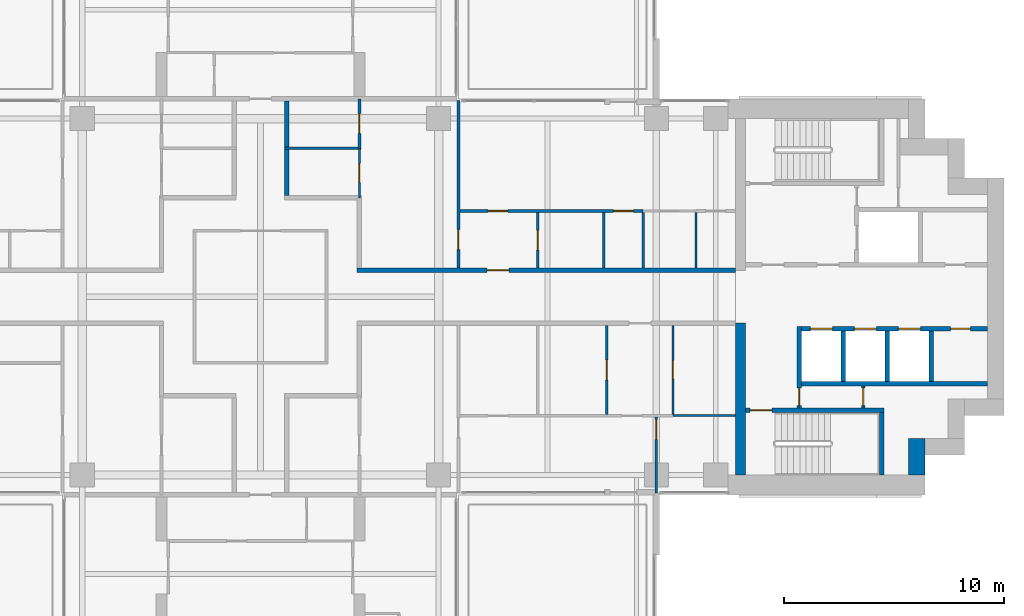
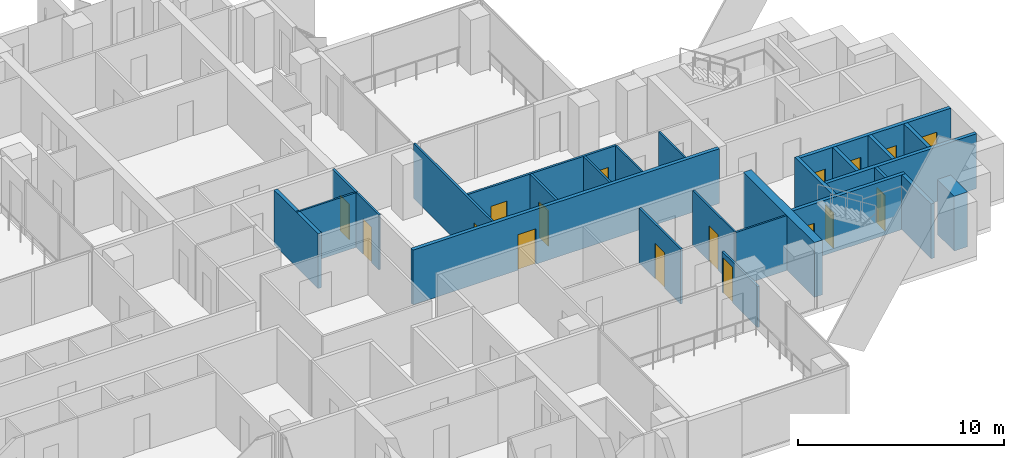
# One storey, part 12 of 19: 26 walls, 17 doors, 17 openings.
"""IFC4 building model written with IfcOpenShell, lengths in metres."""

from ifc_helpers import new_model, si_unit, direction, frame, frame_2d, origin, place, context, subcontext, project, spatial, rectangle, extrude, material, layer, layer_set, type_object, element, fill, save


model = new_model("IFC4")

# Units and contexts
model_context = context("Model", 3, precision=1e-05, world=origin(), true_north=direction((0.0, 1.0)))
body_context = subcontext(model_context, "Body", "Model", "MODEL_VIEW")
ifc_project = project(units=[si_unit("LENGTHUNIT", "METRE"), si_unit("AREAUNIT", "SQUARE_METRE"), si_unit("VOLUMEUNIT", "CUBIC_METRE"), si_unit("PLANEANGLEUNIT", "RADIAN"), si_unit("MASSUNIT", "GRAM", prefix="KILO")], contexts=[model_context])

# Site, building, storey
site_placement = place(None, origin())
site = spatial("IfcSite", under=ifc_project, at=site_placement, CompositionType="ELEMENT")
building_placement = place(site_placement, origin())
building = spatial("IfcBuilding", under=site, at=building_placement, Name="Perihelion Cross Residences", CompositionType="ELEMENT")
storey_placement = place(building_placement, frame((0.0, 0.0, 105.89990234375)))
storey = spatial("IfcBuildingStorey", under=building, at=storey_placement, Name="L24", CompositionType="ELEMENT", Elevation=105.89990234375)

# Wall, opening, door
ifc_material_1 = material(Name="Plasterboard partition")
ifc_layer_1 = layer(ifc_material_1, 0.199951171875)
ifc_layer_set_1 = layer_set([ifc_layer_1], Name="Apartment separation wall 200")
wall_type_1 = type_object("IfcWallType", Name="Apartment separation wall 200", PredefinedType="PARTITIONING", material=ifc_layer_set_1)
wall_1_placement = place(storey_placement, frame((4.39990234375, 1.199951171875, 0.0), z_axis=(0.0, 0.0, 1.0), x_axis=(1.0, 0.0, 0.0)))
wall_1 = element("IfcWall", 1, at=wall_1_placement, inside=storey, type_object=wall_type_1, Name="Partition L24 W005", PredefinedType="PARTITIONING", context=body_context, shape_type="SweptSolid", body=[
    extrude(rectangle(XDim=17.2001953125, YDim=0.199951171875, at=frame_2d((8.60009765625, 0.0))), origin(), (0.0, 0.0, 1.0), 3.25),
])
opening_1_placement = place(wall_1_placement, frame((5.89990234375, 0.0, 0.0)))
opening_1 = element("IfcOpeningElement", 2, at=opening_1_placement, cuts=wall_1, Name="Opening L24.A46", PredefinedType="OPENING", context=body_context, shape_type="SweptSolid", body=[
    extrude(rectangle(XDim=1.0, YDim=2.10009765625, at=frame_2d((0.5, 1.050048828125))), frame((0.0, 0.10986328125, 0.0), z_axis=(0.0, -1.0, 0.0), x_axis=(1.0, 0.0, 0.0)), (0.0, 0.0, 1.0), 0.219970703125),
])
ifc_material_2 = material(Name="Timber door leaf", Category="wood")
door_type_1 = type_object("IfcDoorType", Name="Flat entrance door 1000 x 2100", OperationType="SINGLE_SWING_LEFT", PredefinedType="DOOR", material=ifc_material_2)
door_1_placement = place(opening_1_placement, origin())
door_1 = element("IfcDoor", 3, at=door_1_placement, inside=storey, type_object=door_type_1, Name="Door L24.A46", OperationType="SINGLE_SWING_LEFT", OverallHeight=2.10009765625, OverallWidth=1.0, PredefinedType="DOOR", context=body_context, shape_type="SweptSolid", body=[
    extrude(rectangle(XDim=1.0, YDim=2.10009765625, at=frame_2d((0.5, 1.050048828125))), frame((0.0, 0.02490234375, 0.0), z_axis=(0.0, -1.0, 0.0), x_axis=(1.0, 0.0, 0.0)), (0.0, 0.0, 1.0), 0.050048828125),
])
fill(opening_1, door_1)

# Walls
wall_2_placement = place(storey_placement, frame((1.199951171875, 8.89990234375, 0.0), z_axis=(0.0, 0.0, 1.0), x_axis=(0.0, -1.0, 0.0)))
element("IfcWall", 4, at=wall_2_placement, inside=storey, type_object=wall_type_1, Name="Partition L24 W007", PredefinedType="PARTITIONING", context=body_context, shape_type="SweptSolid", body=[
    extrude(rectangle(XDim=4.2998046875, YDim=0.199951171875, at=frame_2d((2.14990234375, 0.0))), origin(), (0.0, 0.0, 1.0), 3.25),
])
ifc_material_3 = material(Name="Concrete C60/75", Category="concrete")
ifc_layer_2 = layer(ifc_material_3, 0.449951171875)
ifc_layer_set_2 = layer_set([ifc_layer_2], Name="Core wall, inner 450")
wall_type_2 = type_object("IfcWallType", Name="Core wall, inner 450", PredefinedType="SHEAR", material=ifc_layer_set_2)
wall_3_placement = place(storey_placement, frame((21.824951171875, -8.10009765625, 0.0), z_axis=(0.0, 0.0, 1.0), x_axis=(0.0, 1.0, 0.0)))
element("IfcWall", 5, at=wall_3_placement, inside=storey, type_object=wall_type_2, Name="East core core wall, inner", PredefinedType="SHEAR", context=body_context, shape_type="SweptSolid", body=[
    extrude(rectangle(XDim=6.900146484375, YDim=0.449951171875, at=frame_2d((3.4501953125, 0.0))), origin(), (0.0, 0.0, 1.0), 3.25),
])
ifc_material_4 = material(Name="Concrete C60/75", Category="concrete")
ifc_layer_3 = layer(ifc_material_4, 0.75)
ifc_layer_set_3 = layer_set([ifc_layer_3], Name="Core wall, outer 750")
wall_type_3 = type_object("IfcWallType", Name="Core wall, outer 750", PredefinedType="SHEAR", material=ifc_layer_set_3)
wall_4_placement = place(storey_placement, frame((29.824951171875, -8.10009765625, 0.0), z_axis=(0.0, 0.0, 1.0), x_axis=(0.0, 1.0, 0.0)))
element("IfcWall", 6, at=wall_4_placement, inside=storey, type_object=wall_type_3, Name="East core core wall, outer", PredefinedType="SHEAR", context=body_context, shape_type="SweptSolid", body=[
    extrude(rectangle(XDim=1.650146484375, YDim=0.75, at=frame_2d((0.8251953125, 0.0))), origin(), (0.0, 0.0, 1.0), 3.25),
])

# Wall, opening, door
ifc_material_5 = material(Name="Concrete C50/60", Category="concrete")
ifc_layer_4 = layer(ifc_material_5, 0.199951171875)
ifc_layer_set_4 = layer_set([ifc_layer_4], Name="Lobby wall 200")
wall_type_4 = type_object("IfcWallType", Name="Lobby wall 200", PredefinedType="SOLIDWALL", material=ifc_layer_set_4)
wall_5_placement = place(storey_placement, frame((24.5, -5.050048828125, 0.0), z_axis=(0.0, 0.0, 1.0), x_axis=(0.0, 1.0, 0.0)))
wall_5 = element("IfcWall", 7, at=wall_5_placement, inside=storey, type_object=wall_type_4, Name="East core lobby wall", PredefinedType="SOLIDWALL", context=body_context, shape_type="SweptSolid", body=[
    extrude(rectangle(XDim=3.699951171875, YDim=0.199951171875, at=frame_2d((1.85009765625, 0.0))), origin(), (0.0, 0.0, 1.0), 3.25),
])
opening_2_placement = place(wall_5_placement, frame((0.10009765625, 0.0, 0.0)))
opening_2 = element("IfcOpeningElement", 8, at=opening_2_placement, cuts=wall_5, Name="Opening L24.C08", PredefinedType="OPENING", context=body_context, shape_type="SweptSolid", body=[
    extrude(rectangle(XDim=0.800048828125, YDim=2.10009765625, at=frame_2d((0.39990234375, 1.050048828125))), frame((0.0, 0.10986328125, 0.0), z_axis=(0.0, -1.0, 0.0), x_axis=(1.0, 0.0, 0.0)), (0.0, 0.0, 1.0), 0.219970703125),
])
ifc_material_6 = material(Name="Steel, powder coated", Category="steel")
door_type_2 = type_object("IfcDoorType", Name="Riser door 800", OperationType="SINGLE_SWING_LEFT", PredefinedType="DOOR", material=ifc_material_6)
door_2_placement = place(opening_2_placement, origin())
door_2 = element("IfcDoor", 9, at=door_2_placement, inside=storey, type_object=door_type_2, Name="East core riser door", OperationType="SINGLE_SWING_LEFT", OverallHeight=2.10009765625, OverallWidth=0.800048828125, PredefinedType="DOOR", context=body_context, shape_type="SweptSolid", body=[
    extrude(rectangle(XDim=0.800048828125, YDim=2.10009765625, at=frame_2d((0.39990234375, 1.050048828125))), frame((0.0, 0.02490234375, 0.0), z_axis=(0.0, -1.0, 0.0), x_axis=(1.0, 0.0, 0.0)), (0.0, 0.0, 1.0), 0.050048828125),
])
fill(opening_2, door_2)

ifc_material_7 = material(Name="Plasterboard partition")
ifc_layer_5 = layer(ifc_material_7, 0.1201171875)
ifc_layer_set_5 = layer_set([ifc_layer_5], Name="Partition wall 120")
wall_type_5 = type_object("IfcWallType", Name="Partition wall 120", PredefinedType="PARTITIONING", material=ifc_layer_set_5)
wall_6_placement = place(storey_placement, frame((12.60009765625, 3.840087890625, 0.0), z_axis=(0.0, 0.0, 1.0), x_axis=(0.0, -1.0, 0.0)))
wall_6 = element("IfcWall", 10, at=wall_6_placement, inside=storey, type_object=wall_type_5, Name="Partition L24 W023", PredefinedType="PARTITIONING", context=body_context, shape_type="SweptSolid", body=[
    extrude(rectangle(XDim=2.5400390625, YDim=0.1201171875, at=frame_2d((1.27001953125, 0.0))), origin(), (0.0, 0.0, 1.0), 3.25),
])
opening_3_placement = place(wall_6_placement, frame((0.820068359375, 0.0, 0.0)))
opening_3 = element("IfcOpeningElement", 11, at=opening_3_placement, cuts=wall_6, Name="Opening L24.A06", PredefinedType="OPENING", context=body_context, shape_type="SweptSolid", body=[
    extrude(rectangle(XDim=0.89990234375, YDim=2.10009765625, at=frame_2d((0.449951171875, 1.050048828125))), frame((0.0, 0.070068359375, 0.0), z_axis=(0.0, -1.0, 0.0), x_axis=(1.0, 0.0, 0.0)), (0.0, 0.0, 1.0), 0.14013671875),
])
ifc_material_8 = material(Name="Timber door leaf", Category="wood")
door_type_3 = type_object("IfcDoorType", Name="Interior room door 900 x 2100", OperationType="SINGLE_SWING_LEFT", PredefinedType="DOOR", material=ifc_material_8)
door_3_placement = place(opening_3_placement, origin())
door_3 = element("IfcDoor", 12, at=door_3_placement, inside=storey, type_object=door_type_3, Name="Door L24.A06", OperationType="SINGLE_SWING_RIGHT", OverallHeight=2.10009765625, OverallWidth=0.89990234375, PredefinedType="DOOR", context=body_context, shape_type="SweptSolid", body=[
    extrude(rectangle(XDim=0.89990234375, YDim=2.10009765625, at=frame_2d((0.449951171875, 1.050048828125))), frame((0.0, 0.02490234375, 0.0), z_axis=(0.0, -1.0, 0.0), x_axis=(1.0, 0.0, 0.0)), (0.0, 0.0, 1.0), 0.050048828125),
])
fill(opening_3, door_3)

# Wall, openings, doors
wall_7_placement = place(storey_placement, frame((8.93994140625, 3.89990234375, 0.0), z_axis=(0.0, 0.0, 1.0), x_axis=(1.0, 0.0, 0.0)))
wall_7 = element("IfcWall", 13, at=wall_7_placement, inside=storey, type_object=wall_type_5, Name="Partition L24 W024", PredefinedType="PARTITIONING", context=body_context, shape_type="SweptSolid", body=[
    extrude(rectangle(XDim=8.4599609375, YDim=0.1201171875, at=frame_2d((4.22998046875, 0.0))), origin(), (0.0, 0.0, 1.0), 3.25),
])
opening_4_placement = place(wall_7_placement, frame((7.110107421875, 0.0, 0.0)))
opening_4 = element("IfcOpeningElement", 14, at=opening_4_placement, cuts=wall_7, Name="Opening L24.A07", PredefinedType="OPENING", context=body_context, shape_type="SweptSolid", body=[
    extrude(rectangle(XDim=0.89990234375, YDim=2.10009765625, at=frame_2d((0.449951171875, 1.050048828125))), frame((0.0, 0.070068359375, 0.0), z_axis=(0.0, -1.0, 0.0), x_axis=(1.0, 0.0, 0.0)), (0.0, 0.0, 1.0), 0.14013671875),
])
opening_5_placement = place(wall_7_placement, frame((1.409912109375, 0.0, 0.0)))
opening_5 = element("IfcOpeningElement", 15, at=opening_5_placement, cuts=wall_7, Name="Opening L24.A09", PredefinedType="OPENING", context=body_context, shape_type="SweptSolid", body=[
    extrude(rectangle(XDim=0.89990234375, YDim=2.10009765625, at=frame_2d((0.449951171875, 1.050048828125))), frame((0.0, 0.070068359375, 0.0), z_axis=(0.0, -1.0, 0.0), x_axis=(1.0, 0.0, 0.0)), (0.0, 0.0, 1.0), 0.14013671875),
])
door_4_placement = place(opening_4_placement, origin())
door_4 = element("IfcDoor", 16, at=door_4_placement, inside=storey, type_object=door_type_3, Name="Door L24.A07", OperationType="SINGLE_SWING_RIGHT", OverallHeight=2.10009765625, OverallWidth=0.89990234375, PredefinedType="DOOR", context=body_context, shape_type="SweptSolid", body=[
    extrude(rectangle(XDim=0.89990234375, YDim=2.10009765625, at=frame_2d((0.449951171875, 1.050048828125))), frame((0.0, 0.02490234375, 0.0), z_axis=(0.0, -1.0, 0.0), x_axis=(1.0, 0.0, 0.0)), (0.0, 0.0, 1.0), 0.050048828125),
])
fill(opening_4, door_4)
door_5_placement = place(opening_5_placement, origin())
door_5 = element("IfcDoor", 17, at=door_5_placement, inside=storey, type_object=door_type_3, Name="Door L24.A09", OperationType="SINGLE_SWING_RIGHT", OverallHeight=2.10009765625, OverallWidth=0.89990234375, PredefinedType="DOOR", context=body_context, shape_type="SweptSolid", body=[
    extrude(rectangle(XDim=0.89990234375, YDim=2.10009765625, at=frame_2d((0.449951171875, 1.050048828125))), frame((0.0, 0.02490234375, 0.0), z_axis=(0.0, -1.0, 0.0), x_axis=(1.0, 0.0, 0.0)), (0.0, 0.0, 1.0), 0.050048828125),
])
fill(opening_5, door_5)

# Wall, opening, door
wall_8_placement = place(storey_placement, frame((9.0, 1.300048828125, 0.0), z_axis=(0.0, 0.0, 1.0), x_axis=(0.0, 1.0, 0.0)))
wall_8 = element("IfcWall", 18, at=wall_8_placement, inside=storey, type_object=wall_type_5, Name="Partition L24 W025", PredefinedType="PARTITIONING", context=body_context, shape_type="SweptSolid", body=[
    extrude(rectangle(XDim=7.619873046875, YDim=0.1201171875, at=frame_2d((3.81005859375, 0.0))), origin(), (0.0, 0.0, 1.0), 3.25),
])
opening_6_placement = place(wall_8_placement, frame((0.85009765625, 0.0, 0.0)))
opening_6 = element("IfcOpeningElement", 19, at=opening_6_placement, cuts=wall_8, Name="Opening L24.A05", PredefinedType="OPENING", context=body_context, shape_type="SweptSolid", body=[
    extrude(rectangle(XDim=0.89990234375, YDim=2.10009765625, at=frame_2d((0.449951171875, 1.050048828125))), frame((0.0, 0.070068359375, 0.0), z_axis=(0.0, -1.0, 0.0), x_axis=(1.0, 0.0, 0.0)), (0.0, 0.0, 1.0), 0.14013671875),
])
door_6_placement = place(opening_6_placement, origin())
door_6 = element("IfcDoor", 20, at=door_6_placement, inside=storey, type_object=door_type_3, Name="Door L24.A05", OperationType="SINGLE_SWING_LEFT", OverallHeight=2.10009765625, OverallWidth=0.89990234375, PredefinedType="DOOR", context=body_context, shape_type="SweptSolid", body=[
    extrude(rectangle(XDim=0.89990234375, YDim=2.10009765625, at=frame_2d((0.449951171875, 1.050048828125))), frame((0.0, 0.02490234375, 0.0), z_axis=(0.0, -1.0, 0.0), x_axis=(1.0, 0.0, 0.0)), (0.0, 0.0, 1.0), 0.050048828125),
])
fill(opening_6, door_6)

# Wall
wall_9_placement = place(storey_placement, frame((15.60009765625, 3.840087890625, 0.0), z_axis=(0.0, 0.0, 1.0), x_axis=(0.0, -1.0, 0.0)))
element("IfcWall", 21, at=wall_9_placement, inside=storey, type_object=wall_type_5, Name="Partition L24 W026", PredefinedType="PARTITIONING", context=body_context, shape_type="SweptSolid", body=[
    extrude(rectangle(XDim=2.5400390625, YDim=0.1201171875, at=frame_2d((1.27001953125, 0.0))), origin(), (0.0, 0.0, 1.0), 3.25),
])

# Wall, opening, door
wall_10_placement = place(storey_placement, frame((4.5, 6.75, 0.0), z_axis=(0.0, 0.0, 1.0), x_axis=(0.0, 1.0, 0.0)))
wall_10 = element("IfcWall", 22, at=wall_10_placement, inside=storey, type_object=wall_type_5, Name="Partition L24 W032", PredefinedType="PARTITIONING", context=body_context, shape_type="SweptSolid", body=[
    extrude(rectangle(XDim=2.25, YDim=0.1201171875, at=frame_2d((1.125, 0.0))), origin(), (0.0, 0.0, 1.0), 3.25),
])
opening_7_placement = place(wall_10_placement, frame((0.675048828125, 0.0, 0.0)))
opening_7 = element("IfcOpeningElement", 23, at=opening_7_placement, cuts=wall_10, Name="Opening L24.A08", PredefinedType="OPENING", context=body_context, shape_type="SweptSolid", body=[
    extrude(rectangle(XDim=0.89990234375, YDim=2.10009765625, at=frame_2d((0.449951171875, 1.050048828125))), frame((0.0, 0.070068359375, 0.0), z_axis=(0.0, -1.0, 0.0), x_axis=(1.0, 0.0, 0.0)), (0.0, 0.0, 1.0), 0.14013671875),
])
door_7_placement = place(opening_7_placement, origin())
door_7 = element("IfcDoor", 24, at=door_7_placement, inside=storey, type_object=door_type_3, Name="Door L24.A08", OperationType="SINGLE_SWING_RIGHT", OverallHeight=2.10009765625, OverallWidth=0.89990234375, PredefinedType="DOOR", context=body_context, shape_type="SweptSolid", body=[
    extrude(rectangle(XDim=0.89990234375, YDim=2.10009765625, at=frame_2d((0.449951171875, 1.050048828125))), frame((0.0, 0.02490234375, 0.0), z_axis=(0.0, -1.0, 0.0), x_axis=(1.0, 0.0, 0.0)), (0.0, 0.0, 1.0), 0.050048828125),
])
fill(opening_7, door_7)

wall_11_placement = place(storey_placement, frame((15.75, -1.300048828125, 0.0), z_axis=(0.0, 0.0, 1.0), x_axis=(0.0, -1.0, 0.0)))
wall_11 = element("IfcWall", 25, at=wall_11_placement, inside=storey, type_object=wall_type_5, Name="Partition L24 W037", PredefinedType="PARTITIONING", context=body_context, shape_type="SweptSolid", body=[
    extrude(rectangle(XDim=4.0400390625, YDim=0.1201171875, at=frame_2d((2.02001953125, 0.0))), origin(), (0.0, 0.0, 1.0), 3.25),
])
opening_8_placement = place(wall_11_placement, frame((1.570068359375, 0.0, 0.0)))
opening_8 = element("IfcOpeningElement", 26, at=opening_8_placement, cuts=wall_11, Name="Opening L24.A16", PredefinedType="OPENING", context=body_context, shape_type="SweptSolid", body=[
    extrude(rectangle(XDim=0.89990234375, YDim=2.10009765625, at=frame_2d((0.449951171875, 1.050048828125))), frame((0.0, 0.070068359375, 0.0), z_axis=(0.0, -1.0, 0.0), x_axis=(1.0, 0.0, 0.0)), (0.0, 0.0, 1.0), 0.14013671875),
])
door_8_placement = place(opening_8_placement, origin())
door_8 = element("IfcDoor", 27, at=door_8_placement, inside=storey, type_object=door_type_3, Name="Door L24.A16", OperationType="SINGLE_SWING_RIGHT", OverallHeight=2.10009765625, OverallWidth=0.89990234375, PredefinedType="DOOR", context=body_context, shape_type="SweptSolid", body=[
    extrude(rectangle(XDim=0.89990234375, YDim=2.10009765625, at=frame_2d((0.449951171875, 1.050048828125))), frame((0.0, 0.02490234375, 0.0), z_axis=(0.0, -1.0, 0.0), x_axis=(1.0, 0.0, 0.0)), (0.0, 0.0, 1.0), 0.050048828125),
])
fill(opening_8, door_8)

wall_12_placement = place(storey_placement, frame((18.0, -5.4599609375, 0.0), z_axis=(0.0, 0.0, 1.0), x_axis=(0.0, -1.0, 0.0)))
wall_12 = element("IfcWall", 28, at=wall_12_placement, inside=storey, type_object=wall_type_5, Name="Partition L24 W040", PredefinedType="PARTITIONING", context=body_context, shape_type="SweptSolid", body=[
    extrude(rectangle(XDim=3.4599609375, YDim=0.1201171875, at=frame_2d((1.72998046875, 0.0))), origin(), (0.0, 0.0, 1.0), 2.4140625),
])
opening_9_placement = place(wall_12_placement, frame((0.1201171875, 0.0, 0.0)))
opening_9 = element("IfcOpeningElement", 29, at=opening_9_placement, cuts=wall_12, Name="Opening L24.A10", PredefinedType="OPENING", context=body_context, shape_type="SweptSolid", body=[
    extrude(rectangle(XDim=0.89990234375, YDim=2.10009765625, at=frame_2d((0.449951171875, 1.050048828125))), frame((0.0, 0.070068359375, 0.0), z_axis=(0.0, -1.0, 0.0), x_axis=(1.0, 0.0, 0.0)), (0.0, 0.0, 1.0), 0.14013671875),
])
door_9_placement = place(opening_9_placement, origin())
door_9 = element("IfcDoor", 30, at=door_9_placement, inside=storey, type_object=door_type_3, Name="Door L24.A10", OperationType="SINGLE_SWING_LEFT", OverallHeight=2.10009765625, OverallWidth=0.89990234375, PredefinedType="DOOR", context=body_context, shape_type="SweptSolid", body=[
    extrude(rectangle(XDim=0.89990234375, YDim=2.10009765625, at=frame_2d((0.449951171875, 1.050048828125))), frame((0.0, 0.02490234375, 0.0), z_axis=(0.0, -1.0, 0.0), x_axis=(1.0, 0.0, 0.0)), (0.0, 0.0, 1.0), 0.050048828125),
])
fill(opening_9, door_9)

ifc_material_9 = material(Name="Fire-rated board on steel stud", Category="steel")
ifc_layer_6 = layer(ifc_material_9, 0.14990234375)
ifc_layer_set_6 = layer_set([ifc_layer_6], Name="Riser wall 150")
wall_type_6 = type_object("IfcWallType", Name="Riser wall 150", PredefinedType="PARTITIONING", material=ifc_layer_set_6)
wall_13_placement = place(storey_placement, frame((27.39990234375, -5.050048828125, 0.0), z_axis=(0.0, 0.0, 1.0), x_axis=(0.0, 1.0, 0.0)))
wall_13 = element("IfcWall", 31, at=wall_13_placement, inside=storey, type_object=wall_type_6, Name="East core riser wall", PredefinedType="PARTITIONING", context=body_context, shape_type="SweptSolid", body=[
    extrude(rectangle(XDim=1.0, YDim=0.14990234375, at=frame_2d((0.5, 0.0))), origin(), (0.0, 0.0, 1.0), 3.25),
])
opening_10_placement = place(wall_13_placement, frame((0.10009765625, 0.0, 0.0)))
opening_10 = element("IfcOpeningElement", 32, at=opening_10_placement, cuts=wall_13, Name="Opening L24.C11", PredefinedType="OPENING", context=body_context, shape_type="SweptSolid", body=[
    extrude(rectangle(XDim=0.800048828125, YDim=2.10009765625, at=frame_2d((0.39990234375, 1.050048828125))), frame((0.0, 0.0849609375, 0.0), z_axis=(0.0, -1.0, 0.0), x_axis=(1.0, 0.0, 0.0)), (0.0, 0.0, 1.0), 0.169921875),
])
door_10_placement = place(opening_10_placement, origin())
door_10 = element("IfcDoor", 33, at=door_10_placement, inside=storey, type_object=door_type_2, Name="East core riser door", OperationType="SINGLE_SWING_LEFT", OverallHeight=2.10009765625, OverallWidth=0.800048828125, PredefinedType="DOOR", context=body_context, shape_type="SweptSolid", body=[
    extrude(rectangle(XDim=0.800048828125, YDim=2.10009765625, at=frame_2d((0.39990234375, 1.050048828125))), frame((0.0, 0.02490234375, 0.0), z_axis=(0.0, -1.0, 0.0), x_axis=(1.0, 0.0, 0.0)), (0.0, 0.0, 1.0), 0.050048828125),
])
fill(opening_10, door_10)

# Wall, openings, doors
ifc_material_10 = material(Name="Concrete C50/60", Category="concrete")
ifc_layer_7 = layer(ifc_material_10, 0.199951171875)
ifc_layer_set_7 = layer_set([ifc_layer_7], Name="Shaft wall 200")
wall_type_7 = type_object("IfcWallType", Name="Shaft wall 200", PredefinedType="SOLIDWALL", material=ifc_layer_set_7)
wall_14_placement = place(storey_placement, frame((24.60009765625, -1.449951171875, 0.0), z_axis=(0.0, 0.0, 1.0), x_axis=(1.0, 0.0, 0.0)))
wall_14 = element("IfcWall", 34, at=wall_14_placement, inside=storey, type_object=wall_type_7, Name="East core shaft wall", PredefinedType="SOLIDWALL", context=body_context, shape_type="SweptSolid", body=[
    extrude(rectangle(XDim=8.449951171875, YDim=0.199951171875, at=frame_2d((4.22509765625, 0.0))), origin(), (0.0, 0.0, 1.0), 3.25),
])
opening_11_placement = place(wall_14_placement, frame((0.39990234375, 0.0, 0.0)))
opening_11 = element("IfcOpeningElement", 35, at=opening_11_placement, cuts=wall_14, Name="Opening L24.C01", PredefinedType="OPENING", context=body_context, shape_type="SweptSolid", body=[
    extrude(rectangle(XDim=1.0, YDim=2.10009765625, at=frame_2d((0.5, 1.050048828125))), frame((0.0, 0.10986328125, 0.0), z_axis=(0.0, -1.0, 0.0), x_axis=(1.0, 0.0, 0.0)), (0.0, 0.0, 1.0), 0.219970703125),
])
opening_12_placement = place(wall_14_placement, frame((2.39990234375, 0.0, 0.0)))
opening_12 = element("IfcOpeningElement", 36, at=opening_12_placement, cuts=wall_14, Name="Opening L24.C03", PredefinedType="OPENING", context=body_context, shape_type="SweptSolid", body=[
    extrude(rectangle(XDim=1.0, YDim=2.10009765625, at=frame_2d((0.5, 1.050048828125))), frame((0.0, 0.10986328125, 0.0), z_axis=(0.0, -1.0, 0.0), x_axis=(1.0, 0.0, 0.0)), (0.0, 0.0, 1.0), 0.219970703125),
])
opening_13_placement = place(wall_14_placement, frame((4.39990234375, 0.0, 0.0)))
opening_13 = element("IfcOpeningElement", 37, at=opening_13_placement, cuts=wall_14, Name="Opening L24.C04", PredefinedType="OPENING", context=body_context, shape_type="SweptSolid", body=[
    extrude(rectangle(XDim=1.0, YDim=2.10009765625, at=frame_2d((0.5, 1.050048828125))), frame((0.0, 0.10986328125, 0.0), z_axis=(0.0, -1.0, 0.0), x_axis=(1.0, 0.0, 0.0)), (0.0, 0.0, 1.0), 0.219970703125),
])
opening_14_placement = place(wall_14_placement, frame((6.77490234375, 0.0, 0.0)))
opening_14 = element("IfcOpeningElement", 38, at=opening_14_placement, cuts=wall_14, Name="Opening L24.C14", PredefinedType="OPENING", context=body_context, shape_type="SweptSolid", body=[
    extrude(rectangle(XDim=0.89990234375, YDim=2.10009765625, at=frame_2d((0.449951171875, 1.050048828125))), frame((0.0, 0.10986328125, 0.0), z_axis=(0.0, -1.0, 0.0), x_axis=(1.0, 0.0, 0.0)), (0.0, 0.0, 1.0), 0.219970703125),
])
ifc_material_11 = material(Name="Stainless steel", Category="steel")
door_type_4 = type_object("IfcDoorType", Name="Landing door 1000", OperationType="DOUBLE_DOOR_SLIDING", PredefinedType="DOOR", material=ifc_material_11)
door_11_placement = place(opening_11_placement, origin())
door_11 = element("IfcDoor", 39, at=door_11_placement, inside=storey, type_object=door_type_4, Name="Landing door, East core high-rise lift 1", OperationType="DOUBLE_DOOR_SLIDING", OverallHeight=2.10009765625, OverallWidth=1.0, PredefinedType="DOOR", context=body_context, shape_type="SweptSolid", body=[
    extrude(rectangle(XDim=1.0, YDim=2.10009765625, at=frame_2d((0.5, 1.050048828125))), frame((0.0, 0.02490234375, 0.0), z_axis=(0.0, -1.0, 0.0), x_axis=(1.0, 0.0, 0.0)), (0.0, 0.0, 1.0), 0.050048828125),
])
fill(opening_11, door_11)
door_12_placement = place(opening_12_placement, origin())
door_12 = element("IfcDoor", 40, at=door_12_placement, inside=storey, type_object=door_type_4, Name="Landing door, East core high-rise lift 2", OperationType="DOUBLE_DOOR_SLIDING", OverallHeight=2.10009765625, OverallWidth=1.0, PredefinedType="DOOR", context=body_context, shape_type="SweptSolid", body=[
    extrude(rectangle(XDim=1.0, YDim=2.10009765625, at=frame_2d((0.5, 1.050048828125))), frame((0.0, 0.02490234375, 0.0), z_axis=(0.0, -1.0, 0.0), x_axis=(1.0, 0.0, 0.0)), (0.0, 0.0, 1.0), 0.050048828125),
])
fill(opening_12, door_12)
door_13_placement = place(opening_13_placement, origin())
door_13 = element("IfcDoor", 41, at=door_13_placement, inside=storey, type_object=door_type_4, Name="Landing door, East core high-rise lift 3", OperationType="DOUBLE_DOOR_SLIDING", OverallHeight=2.10009765625, OverallWidth=1.0, PredefinedType="DOOR", context=body_context, shape_type="SweptSolid", body=[
    extrude(rectangle(XDim=1.0, YDim=2.10009765625, at=frame_2d((0.5, 1.050048828125))), frame((0.0, 0.02490234375, 0.0), z_axis=(0.0, -1.0, 0.0), x_axis=(1.0, 0.0, 0.0)), (0.0, 0.0, 1.0), 0.050048828125),
])
fill(opening_13, door_13)
ifc_material_12 = material(Name="Steel, powder coated", Category="steel")
door_type_5 = type_object("IfcDoorType", Name="Service room door 900", OperationType="SINGLE_SWING_LEFT", PredefinedType="DOOR", material=ifc_material_12)
door_14_placement = place(opening_14_placement, origin())
door_14 = element("IfcDoor", 42, at=door_14_placement, inside=storey, type_object=door_type_5, Name="East core service room door", OperationType="SINGLE_SWING_LEFT", OverallHeight=2.10009765625, OverallWidth=0.89990234375, PredefinedType="DOOR", context=body_context, shape_type="SweptSolid", body=[
    extrude(rectangle(XDim=0.89990234375, YDim=2.10009765625, at=frame_2d((0.449951171875, 1.050048828125))), frame((0.0, 0.02490234375, 0.0), z_axis=(0.0, -1.0, 0.0), x_axis=(1.0, 0.0, 0.0)), (0.0, 0.0, 1.0), 0.050048828125),
])
fill(opening_14, door_14)

# Walls
wall_15_placement = place(storey_placement, frame((24.60009765625, -3.949951171875, 0.0), z_axis=(0.0, 0.0, 1.0), x_axis=(1.0, 0.0, 0.0)))
element("IfcWall", 43, at=wall_15_placement, inside=storey, type_object=wall_type_7, Name="East core shaft wall", PredefinedType="SOLIDWALL", context=body_context, shape_type="SweptSolid", body=[
    extrude(rectangle(XDim=8.449951171875, YDim=0.199951171875, at=frame_2d((4.22509765625, 0.0))), origin(), (0.0, 0.0, 1.0), 3.25),
])
for number, where, z_axis, x_axis, name in (
    (44, (26.5, -3.85009765625, 0.0), (0.0, 0.0, 1.0), (0.0, 1.0, 0.0), "East core shaft wall"),
    (45, (28.5, -3.85009765625, 0.0), (0.0, 0.0, 1.0), (0.0, 1.0, 0.0), "East core shaft wall"),
    (46, (30.5, -3.85009765625, 0.0), (0.0, 0.0, 1.0), (0.0, 1.0, 0.0), "East core shaft wall"),
):
    element("IfcWall", number, at=place(storey_placement, frame(where, z_axis=z_axis, x_axis=x_axis)), inside=storey, type_object=wall_type_7, Name=name, PredefinedType="SOLIDWALL", context=body_context, shape_type="SweptSolid", body=[
        extrude(rectangle(XDim=2.300048828125, YDim=0.199951171875, at=frame_2d((1.14990234375, 0.0))), origin(), (0.0, 0.0, 1.0), 3.25),
    ])

# Wall, opening, door
ifc_material_13 = material(Name="Concrete C50/60", Category="concrete")
ifc_layer_8 = layer(ifc_material_13, 0.199951171875)
ifc_layer_set_8 = layer_set([ifc_layer_8], Name="Stair wall 200")
wall_type_8 = type_object("IfcWallType", Name="Stair wall 200", PredefinedType="SOLIDWALL", material=ifc_layer_set_8)
wall_16_placement = place(storey_placement, frame((22.050048828125, -5.14990234375, 0.0), z_axis=(0.0, 0.0, 1.0), x_axis=(1.0, 0.0, 0.0)))
wall_16 = element("IfcWall", 47, at=wall_16_placement, inside=storey, type_object=wall_type_8, Name="East core stair wall", PredefinedType="SOLIDWALL", context=body_context, shape_type="SweptSolid", body=[
    extrude(rectangle(XDim=6.300048828125, YDim=0.199951171875, at=frame_2d((3.14990234375, 0.0))), origin(), (0.0, 0.0, 1.0), 3.25),
])
opening_15_placement = place(wall_16_placement, frame((0.199951171875, 0.0, 0.0)))
opening_15 = element("IfcOpeningElement", 48, at=opening_15_placement, cuts=wall_16, Name="Opening L24.C05", PredefinedType="OPENING", context=body_context, shape_type="SweptSolid", body=[
    extrude(rectangle(XDim=1.0, YDim=2.10009765625, at=frame_2d((0.5, 1.050048828125))), frame((0.0, 0.10986328125, 0.0), z_axis=(0.0, -1.0, 0.0), x_axis=(1.0, 0.0, 0.0)), (0.0, 0.0, 1.0), 0.219970703125),
])
ifc_material_14 = material(Name="Steel, powder coated", Category="steel")
door_type_6 = type_object("IfcDoorType", Name="Stair door 1000", OperationType="SINGLE_SWING_LEFT", PredefinedType="DOOR", material=ifc_material_14)
door_15_placement = place(opening_15_placement, origin())
door_15 = element("IfcDoor", 49, at=door_15_placement, inside=storey, type_object=door_type_6, Name="East core stair door", OperationType="SINGLE_SWING_LEFT", OverallHeight=2.10009765625, OverallWidth=1.0, PredefinedType="DOOR", context=body_context, shape_type="SweptSolid", body=[
    extrude(rectangle(XDim=1.0, YDim=2.10009765625, at=frame_2d((0.5, 1.050048828125))), frame((0.0, 0.02490234375, 0.0), z_axis=(0.0, -1.0, 0.0), x_axis=(1.0, 0.0, 0.0)), (0.0, 0.0, 1.0), 0.050048828125),
])
fill(opening_15, door_15)

# Walls
wall_17_placement = place(storey_placement, frame((28.25, -8.10009765625, 0.0), z_axis=(0.0, 0.0, 1.0), x_axis=(0.0, 1.0, 0.0)))
element("IfcWall", 50, at=wall_17_placement, inside=storey, type_object=wall_type_8, Name="East core stair wall", PredefinedType="SOLIDWALL", context=body_context, shape_type="SweptSolid", body=[
    extrude(rectangle(XDim=2.85009765625, YDim=0.199951171875, at=frame_2d((1.425048828125, 0.0))), origin(), (0.0, 0.0, 1.0), 3.25),
])
ifc_material_15 = material(Name="Plasterboard partition")
ifc_layer_9 = layer(ifc_material_15, 0.10009765625)
ifc_layer_set_9 = layer_set([ifc_layer_9], Name="Wet room wall 100")
wall_type_9 = type_object("IfcWallType", Name="Wet room wall 100", PredefinedType="PARTITIONING", material=ifc_layer_set_9)
for number, where, z_axis, x_axis, name in (
    (51, (17.39990234375, 3.840087890625, 0.0), (0.0, 0.0, 1.0), (0.0, -1.0, 0.0), "Partition L24 W027"),
    (52, (19.800048828125, 3.840087890625, 0.0), (0.0, 0.0, 1.0), (0.0, -1.0, 0.0), "Partition L24 W028"),
):
    element("IfcWall", number, at=place(storey_placement, frame(where, z_axis=z_axis, x_axis=x_axis)), inside=storey, type_object=wall_type_9, Name=name, PredefinedType="PARTITIONING", context=body_context, shape_type="SweptSolid", body=[
        extrude(rectangle(XDim=2.5400390625, YDim=0.10009765625, at=frame_2d((1.27001953125, 0.0))), origin(), (0.0, 0.0, 1.0), 3.25),
    ])

# Wall, opening, door
wall_18_placement = place(storey_placement, frame((4.5, 4.5, 0.0), z_axis=(0.0, 0.0, 1.0), x_axis=(0.0, 1.0, 0.0)))
wall_18 = element("IfcWall", 53, at=wall_18_placement, inside=storey, type_object=wall_type_9, Name="Partition L24 W031", PredefinedType="PARTITIONING", context=body_context, shape_type="SweptSolid", body=[
    extrude(rectangle(XDim=2.25, YDim=0.10009765625, at=frame_2d((1.125, 0.0))), origin(), (0.0, 0.0, 1.0), 3.25),
])
opening_16_placement = place(wall_18_placement, frame((0.699951171875, 0.0, 0.0)))
opening_16 = element("IfcOpeningElement", 54, at=opening_16_placement, cuts=wall_18, Name="Opening L24.A04", PredefinedType="OPENING", context=body_context, shape_type="SweptSolid", body=[
    extrude(rectangle(XDim=0.85009765625, YDim=2.10009765625, at=frame_2d((0.425048828125, 1.050048828125))), frame((0.0, 0.06005859375, 0.0), z_axis=(0.0, -1.0, 0.0), x_axis=(1.0, 0.0, 0.0)), (0.0, 0.0, 1.0), 0.1201171875),
])
ifc_material_16 = material(Name="Timber door leaf", Category="wood")
door_type_7 = type_object("IfcDoorType", Name="Interior bathroom door 850 x 2100", OperationType="SINGLE_SWING_LEFT", PredefinedType="DOOR", material=ifc_material_16)
door_16_placement = place(opening_16_placement, origin())
door_16 = element("IfcDoor", 55, at=door_16_placement, inside=storey, type_object=door_type_7, Name="Door L24.A04", OperationType="SINGLE_SWING_RIGHT", OverallHeight=2.10009765625, OverallWidth=0.85009765625, PredefinedType="DOOR", context=body_context, shape_type="SweptSolid", body=[
    extrude(rectangle(XDim=0.85009765625, YDim=2.10009765625, at=frame_2d((0.425048828125, 1.050048828125))), frame((0.0, 0.02490234375, 0.0), z_axis=(0.0, -1.0, 0.0), x_axis=(1.0, 0.0, 0.0)), (0.0, 0.0, 1.0), 0.050048828125),
])
fill(opening_16, door_16)

# Wall
wall_19_placement = place(storey_placement, frame((1.10009765625, 6.75, 0.0), z_axis=(0.0, 0.0, 1.0), x_axis=(1.0, 0.0, 0.0)))
element("IfcWall", 56, at=wall_19_placement, inside=storey, type_object=wall_type_9, Name="Partition L24 W033", PredefinedType="PARTITIONING", context=body_context, shape_type="SweptSolid", body=[
    extrude(rectangle(XDim=3.4599609375, YDim=0.10009765625, at=frame_2d((1.72998046875, 0.0))), origin(), (0.0, 0.0, 1.0), 3.25),
])

# Wall, opening, door
wall_20_placement = place(storey_placement, frame((18.75, -1.300048828125, 0.0), z_axis=(0.0, 0.0, 1.0), x_axis=(0.0, -1.0, 0.0)))
wall_20 = element("IfcWall", 57, at=wall_20_placement, inside=storey, type_object=wall_type_9, Name="Partition L24 W038", PredefinedType="PARTITIONING", context=body_context, shape_type="SweptSolid", body=[
    extrude(rectangle(XDim=4.0400390625, YDim=0.10009765625, at=frame_2d((2.02001953125, 0.0))), origin(), (0.0, 0.0, 1.0), 3.25),
])
opening_17_placement = place(wall_20_placement, frame((1.594970703125, 0.0, 0.0)))
opening_17 = element("IfcOpeningElement", 58, at=opening_17_placement, cuts=wall_20, Name="Opening L24.A12", PredefinedType="OPENING", context=body_context, shape_type="SweptSolid", body=[
    extrude(rectangle(XDim=0.85009765625, YDim=2.10009765625, at=frame_2d((0.425048828125, 1.050048828125))), frame((0.0, 0.06005859375, 0.0), z_axis=(0.0, -1.0, 0.0), x_axis=(1.0, 0.0, 0.0)), (0.0, 0.0, 1.0), 0.1201171875),
])
door_17_placement = place(opening_17_placement, origin())
door_17 = element("IfcDoor", 59, at=door_17_placement, inside=storey, type_object=door_type_7, Name="Door L24.A12", OperationType="SINGLE_SWING_RIGHT", OverallHeight=2.10009765625, OverallWidth=0.85009765625, PredefinedType="DOOR", context=body_context, shape_type="SweptSolid", body=[
    extrude(rectangle(XDim=0.85009765625, YDim=2.10009765625, at=frame_2d((0.425048828125, 1.050048828125))), frame((0.0, 0.02490234375, 0.0), z_axis=(0.0, -1.0, 0.0), x_axis=(1.0, 0.0, 0.0)), (0.0, 0.0, 1.0), 0.050048828125),
])
fill(opening_17, door_17)

# Wall
wall_21_placement = place(storey_placement, frame((21.60009765625, -5.39990234375, 0.0), z_axis=(0.0, 0.0, 1.0), x_axis=(-1.0, 0.0, 0.0)))
element("IfcWall", 60, at=wall_21_placement, inside=storey, type_object=wall_type_9, Name="Partition L24 W039", PredefinedType="PARTITIONING", context=body_context, shape_type="SweptSolid", body=[
    extrude(rectangle(XDim=2.85009765625, YDim=0.10009765625, at=frame_2d((1.425048828125, 0.0))), origin(), (0.0, 0.0, 1.0), 3.25),
])

save(model, "model.ifc")
